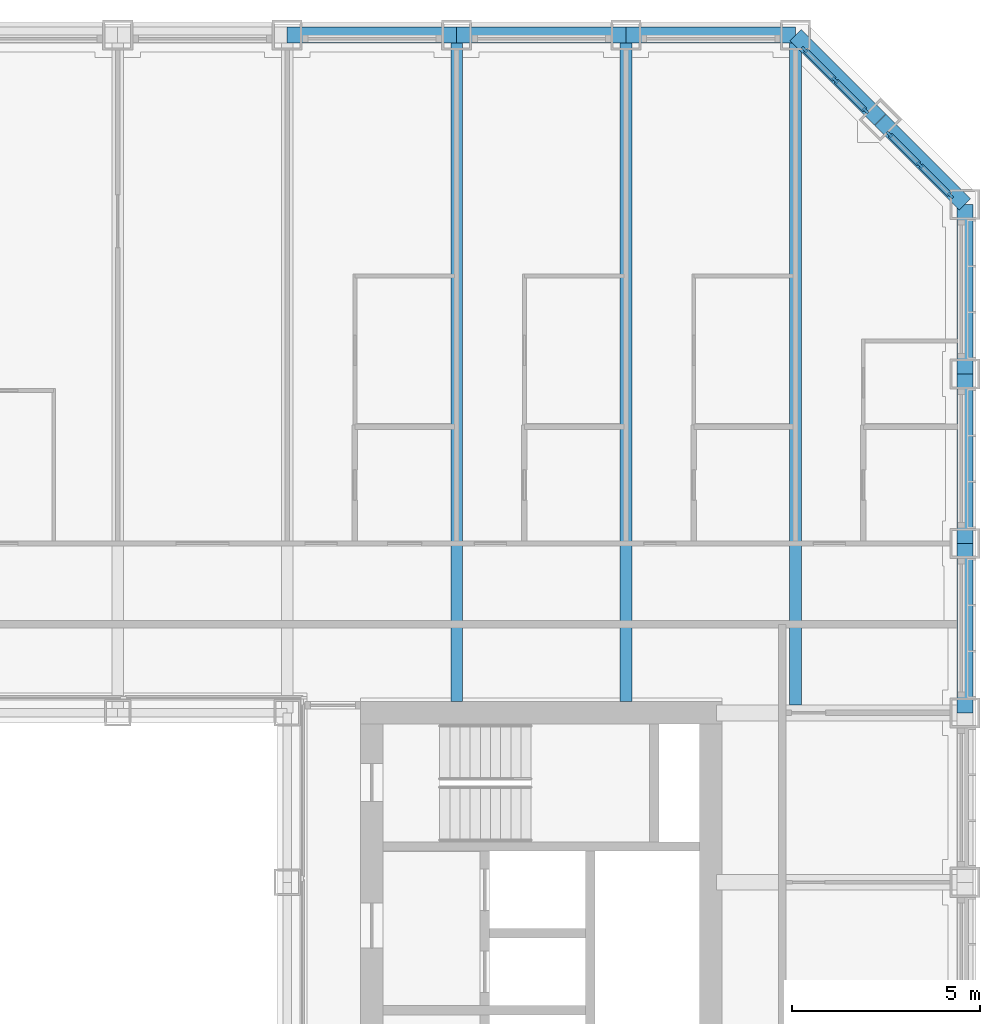
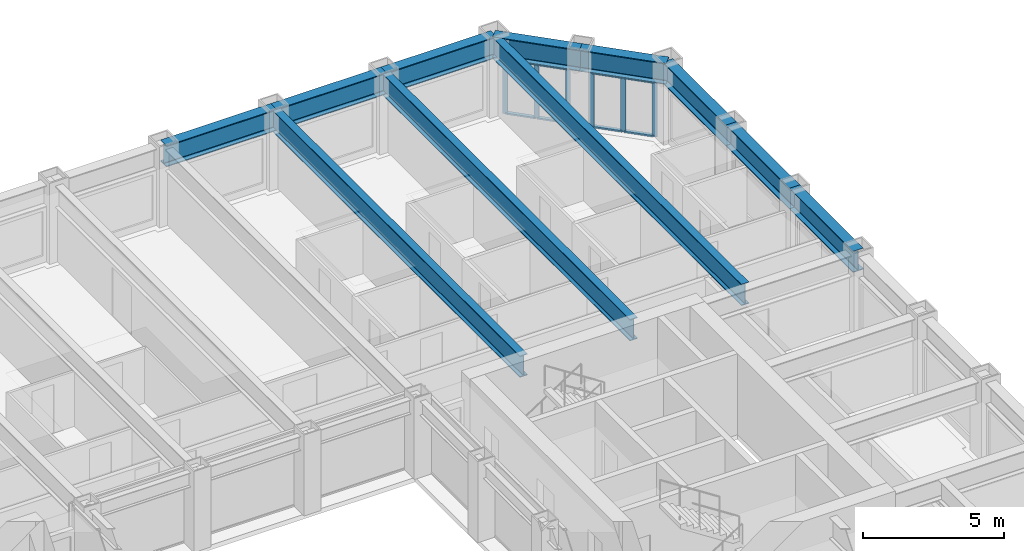
# One storey, part 7 of 21: 14 members, 11 beams, 2 elements without a shape of their own.
"""IFC4 building model written with IfcOpenShell, lengths in metres."""

from ifc_helpers import new_model, si_unit, direction, frame, origin, origin_2d, place, context, subcontext, project, spatial, rectangle, i_section, extrude, material, material_profile, profile_set, type_object, element, aggregate, save


model = new_model("IFC4")

# Units and contexts
model_context = context("Model", 3, precision=1e-05, world=origin(), true_north=direction((0.0, 1.0)))
body_context = subcontext(model_context, "Body", "Model", "MODEL_VIEW")
ifc_project = project(units=[si_unit("LENGTHUNIT", "METRE"), si_unit("AREAUNIT", "SQUARE_METRE"), si_unit("VOLUMEUNIT", "CUBIC_METRE"), si_unit("PLANEANGLEUNIT", "RADIAN"), si_unit("MASSUNIT", "GRAM", prefix="KILO")], contexts=[model_context])

# Site, building, storey
site_placement = place(None, origin())
site = spatial("IfcSite", under=ifc_project, at=site_placement, CompositionType="ELEMENT")
building_placement = place(site_placement, origin())
building = spatial("IfcBuilding", under=site, at=building_placement, Name="Msasa Ring Tower", CompositionType="ELEMENT")
storey_placement = place(building_placement, frame((0.0, 0.0, 79.0)))
storey = spatial("IfcBuildingStorey", under=building, at=storey_placement, Name="L20", CompositionType="ELEMENT", Elevation=79.0)

# Curtain wall, members
ifc_material_1 = material(Name="Aluminium curtain wall with clear glass", Category="aluminium")
curtain_wall_type = type_object("IfcCurtainWallType", Name="CW-C CHAMFER CORNER CURTAIN WALL", PredefinedType="NOTDEFINED", material=ifc_material_1)
curtain_wall_1_placement = place(storey_placement, origin())
curtain_wall_1 = element("IfcCurtainWall", 1, at=curtain_wall_1_placement, inside=storey, type_object=curtain_wall_type, Name="Chamfer corner curtain wall NE L20", PredefinedType="NOTDEFINED")
ifc_material_2 = material(Name="Aluminium mullion", Category="aluminium")
ifc_material_profile_1 = material_profile(ifc_material_2, rectangle(XDim=0.06494140625, YDim=0.179931640625, at=origin_2d()), Name="AL 65x180")
ifc_profile_set_1 = profile_set([ifc_material_profile_1], Name="Aluminium mullion")
member_type_1 = type_object("IfcMemberType", Name="CW-C MULLION 65x180", PredefinedType="MULLION", material=ifc_profile_set_1)
member_1_placement = place(storey_placement, frame((22.119873046875, 22.73876953125, 0.0), z_axis=(0.0, 0.0, 1.0), x_axis=(-0.707106781187, -0.707106781187, 0.0)))
member_1 = element("IfcMember", 2, at=member_1_placement, type_object=member_type_1, Name="CW-C mullion 1", PredefinedType="MULLION", context=body_context, shape_type="SweptSolid", body=[
    extrude(rectangle(XDim=0.06494140625, YDim=0.179931640625, at=origin_2d()), origin(), (0.0, 0.0, 1.0), 2.37890625),
])
member_2_placement = place(storey_placement, frame((21.30419921875, 23.55419921875, 0.0), z_axis=(0.0, 0.0, 1.0), x_axis=(-0.707106781187, -0.707106781187, 0.0)))
member_2 = element("IfcMember", 3, at=member_2_placement, type_object=member_type_1, Name="CW-C mullion 2", PredefinedType="MULLION", context=body_context, shape_type="SweptSolid", body=[
    extrude(rectangle(XDim=0.06494140625, YDim=0.179931640625, at=origin_2d()), origin(), (0.0, 0.0, 1.0), 2.37890625),
])
member_3_placement = place(storey_placement, frame((20.48876953125, 24.369873046875, 0.0), z_axis=(0.0, 0.0, 1.0), x_axis=(-0.707106781187, -0.707106781187, 0.0)))
member_3 = element("IfcMember", 4, at=member_3_placement, type_object=member_type_1, Name="CW-C mullion 3", PredefinedType="MULLION", context=body_context, shape_type="SweptSolid", body=[
    extrude(rectangle(XDim=0.06494140625, YDim=0.179931640625, at=origin_2d()), origin(), (0.0, 0.0, 1.0), 2.37890625),
])

curtain_wall_2_placement = place(storey_placement, origin())
curtain_wall_2 = element("IfcCurtainWall", 5, at=curtain_wall_2_placement, inside=storey, type_object=curtain_wall_type, Name="Chamfer corner curtain wall NE L20", PredefinedType="NOTDEFINED")
member_4_placement = place(storey_placement, frame((24.369873046875, 20.48876953125, 0.0), z_axis=(0.0, 0.0, 1.0), x_axis=(-0.707106781187, -0.707106781187, 0.0)))
member_4 = element("IfcMember", 6, at=member_4_placement, type_object=member_type_1, Name="CW-C mullion 1", PredefinedType="MULLION", context=body_context, shape_type="SweptSolid", body=[
    extrude(rectangle(XDim=0.06494140625, YDim=0.179931640625, at=origin_2d()), origin(), (0.0, 0.0, 1.0), 2.37890625),
])
member_5_placement = place(storey_placement, frame((23.55419921875, 21.30419921875, 0.0), z_axis=(0.0, 0.0, 1.0), x_axis=(-0.707106781187, -0.707106781187, 0.0)))
member_5 = element("IfcMember", 7, at=member_5_placement, type_object=member_type_1, Name="CW-C mullion 2", PredefinedType="MULLION", context=body_context, shape_type="SweptSolid", body=[
    extrude(rectangle(XDim=0.06494140625, YDim=0.179931640625, at=origin_2d()), origin(), (0.0, 0.0, 1.0), 2.37890625),
])
member_6_placement = place(storey_placement, frame((22.73876953125, 22.119873046875, 0.0), z_axis=(0.0, 0.0, 1.0), x_axis=(-0.707106781187, -0.707106781187, 0.0)))
member_6 = element("IfcMember", 8, at=member_6_placement, type_object=member_type_1, Name="CW-C mullion 3", PredefinedType="MULLION", context=body_context, shape_type="SweptSolid", body=[
    extrude(rectangle(XDim=0.06494140625, YDim=0.179931640625, at=origin_2d()), origin(), (0.0, 0.0, 1.0), 2.37890625),
])

# Member
ifc_material_3 = material(Name="Aluminium transom", Category="aluminium")
ifc_material_profile_2 = material_profile(ifc_material_3, rectangle(XDim=0.139892578125, YDim=0.06494140625, at=origin_2d()), Name="AL 65x140")
ifc_profile_set_2 = profile_set([ifc_material_profile_2], Name="Aluminium transom")
member_type_2 = type_object("IfcMemberType", Name="CW-C TRANSOM 65x140", PredefinedType="USERDEFINED", material=ifc_profile_set_2)
member_7_placement = place(storey_placement, frame((22.096923828125, 22.76171875, 0.032470703125), z_axis=(-0.707106781187, 0.707106781187, 0.0), x_axis=(-0.707106781187, -0.707106781187, 0.0)))
member_7 = element("IfcMember", 9, at=member_7_placement, type_object=member_type_2, Name="CW-C transom 1.1", ObjectType="TRANSOM", PredefinedType="USERDEFINED", context=body_context, shape_type="SweptSolid", body=[
    extrude(rectangle(XDim=0.139892578125, YDim=0.06494140625, at=origin_2d()), origin(), (0.0, 0.0, 1.0), 1.08837890625),
])

member_8_placement = place(storey_placement, frame((22.096923828125, 22.76171875, 2.346435546875), z_axis=(-0.707106781187, 0.707106781187, 0.0), x_axis=(-0.707106781187, -0.707106781187, 0.0)))
member_8 = element("IfcMember", 10, at=member_8_placement, type_object=member_type_2, Name="CW-C transom 1.2", ObjectType="TRANSOM", PredefinedType="USERDEFINED", context=body_context, shape_type="SweptSolid", body=[
    extrude(rectangle(XDim=0.139892578125, YDim=0.06494140625, at=origin_2d()), origin(), (0.0, 0.0, 1.0), 1.08837890625),
])

member_9_placement = place(storey_placement, frame((21.28125, 23.577392578125, 0.032470703125), z_axis=(-0.707106781187, 0.707106781187, 0.0), x_axis=(-0.707106781187, -0.707106781187, 0.0)))
member_9 = element("IfcMember", 11, at=member_9_placement, type_object=member_type_2, Name="CW-C transom 2.1", ObjectType="TRANSOM", PredefinedType="USERDEFINED", context=body_context, shape_type="SweptSolid", body=[
    extrude(rectangle(XDim=0.139892578125, YDim=0.06494140625, at=origin_2d()), origin(), (0.0, 0.0, 1.0), 1.08837890625),
])

member_10_placement = place(storey_placement, frame((21.28125, 23.577392578125, 2.346435546875), z_axis=(-0.707106781187, 0.707106781187, 0.0), x_axis=(-0.707106781187, -0.707106781187, 0.0)))
member_10 = element("IfcMember", 12, at=member_10_placement, type_object=member_type_2, Name="CW-C transom 2.2", ObjectType="TRANSOM", PredefinedType="USERDEFINED", context=body_context, shape_type="SweptSolid", body=[
    extrude(rectangle(XDim=0.139892578125, YDim=0.06494140625, at=origin_2d()), origin(), (0.0, 0.0, 1.0), 1.08837890625),
])

aggregate(curtain_wall_1, [member_1, member_2, member_3, member_7, member_8, member_9, member_10])

member_11_placement = place(storey_placement, frame((24.346923828125, 20.51171875, 0.032470703125), z_axis=(-0.707106781187, 0.707106781187, 0.0), x_axis=(-0.707106781187, -0.707106781187, 0.0)))
member_11 = element("IfcMember", 13, at=member_11_placement, type_object=member_type_2, Name="CW-C transom 1.1", ObjectType="TRANSOM", PredefinedType="USERDEFINED", context=body_context, shape_type="SweptSolid", body=[
    extrude(rectangle(XDim=0.139892578125, YDim=0.06494140625, at=origin_2d()), origin(), (0.0, 0.0, 1.0), 1.08837890625),
])

member_12_placement = place(storey_placement, frame((24.346923828125, 20.51171875, 2.346435546875), z_axis=(-0.707106781187, 0.707106781187, 0.0), x_axis=(-0.707106781187, -0.707106781187, 0.0)))
member_12 = element("IfcMember", 14, at=member_12_placement, type_object=member_type_2, Name="CW-C transom 1.2", ObjectType="TRANSOM", PredefinedType="USERDEFINED", context=body_context, shape_type="SweptSolid", body=[
    extrude(rectangle(XDim=0.139892578125, YDim=0.06494140625, at=origin_2d()), origin(), (0.0, 0.0, 1.0), 1.08837890625),
])

member_13_placement = place(storey_placement, frame((23.53125, 21.327392578125, 0.032470703125), z_axis=(-0.707106781187, 0.707106781187, 0.0), x_axis=(-0.707106781187, -0.707106781187, 0.0)))
member_13 = element("IfcMember", 15, at=member_13_placement, type_object=member_type_2, Name="CW-C transom 2.1", ObjectType="TRANSOM", PredefinedType="USERDEFINED", context=body_context, shape_type="SweptSolid", body=[
    extrude(rectangle(XDim=0.139892578125, YDim=0.06494140625, at=origin_2d()), origin(), (0.0, 0.0, 1.0), 1.08837890625),
])

member_14_placement = place(storey_placement, frame((23.53125, 21.327392578125, 2.346435546875), z_axis=(-0.707106781187, 0.707106781187, 0.0), x_axis=(-0.707106781187, -0.707106781187, 0.0)))
member_14 = element("IfcMember", 16, at=member_14_placement, type_object=member_type_2, Name="CW-C transom 2.2", ObjectType="TRANSOM", PredefinedType="USERDEFINED", context=body_context, shape_type="SweptSolid", body=[
    extrude(rectangle(XDim=0.139892578125, YDim=0.06494140625, at=origin_2d()), origin(), (0.0, 0.0, 1.0), 1.08837890625),
])

aggregate(curtain_wall_2, [member_4, member_5, member_6, member_11, member_12, member_13, member_14])

# Beams
ifc_material_4 = material(Name="Steel S355", Category="steel")
ifc_material_profile_3 = material_profile(ifc_material_4, i_section(OverallWidth=0.3076171875, OverallDepth=0.926513671875, WebThickness=0.01953125, FlangeThickness=0.031982421875, FilletRadius=0.01904296875, at=origin_2d()), Name="UB 914x305x289")
ifc_profile_set_3 = profile_set([ifc_material_profile_3], Name="Steel S355")
beam_type_1 = type_object("IfcBeamType", Name="FB3 UB 914x305x289", PredefinedType="BEAM", material=ifc_profile_set_3)
for number, where, z_axis, x_axis, name in (
    (17, (11.25, 24.75, 2.836669921875), (0.0, -1.0, 0.0), (1.0, 0.0, 0.0), "Floor beam N+11.25 under L21"),
    (18, (15.75, 24.75, 2.836669921875), (0.0, -1.0, 0.0), (1.0, 0.0, 0.0), "Floor beam N+15.75 under L21"),
):
    element("IfcBeam", number, at=place(storey_placement, frame(where, z_axis=z_axis, x_axis=x_axis)), inside=storey, type_object=beam_type_1, Name=name, PredefinedType="BEAM", context=body_context, shape_type="SweptSolid", body=[
        extrude(i_section(OverallWidth=0.3076171875, OverallDepth=0.926513671875, WebThickness=0.01953125, FlangeThickness=0.031982421875, FilletRadius=0.01904296875, at=origin_2d()), origin(), (0.0, 0.0, 1.0), 17.699951171875),
    ])
beam_placement = place(storey_placement, frame((20.25, 24.75, 2.836669921875), z_axis=(0.0, -1.0, 0.0), x_axis=(1.0, 0.0, 0.0)))
element("IfcBeam", 19, at=beam_placement, inside=storey, type_object=beam_type_1, Name="Floor beam N+20.25 under L21", PredefinedType="BEAM", context=body_context, shape_type="SweptSolid", body=[
    extrude(i_section(OverallWidth=0.3076171875, OverallDepth=0.926513671875, WebThickness=0.01953125, FlangeThickness=0.031982421875, FilletRadius=0.01904296875, at=origin_2d()), origin(), (0.0, 0.0, 1.0), 17.789794921875),
])
ifc_material_5 = material(Name="Steel S355", Category="steel")
ifc_material_profile_4 = material_profile(ifc_material_5, i_section(OverallWidth=0.42041015625, OverallDepth=0.9208984375, WebThickness=0.021484375, FlangeThickness=0.03662109375, FilletRadius=0.024169921875, at=origin_2d()), Name="UB 914x419x388")
ifc_profile_set_4 = profile_set([ifc_material_profile_4], Name="Steel S355")
beam_type_2 = type_object("IfcBeamType", Name="SB1 UB 914x419x388", PredefinedType="SPANDREL", material=ifc_profile_set_4)
for number, where, z_axis, x_axis, name in (
    (20, (24.75, 6.75, 2.839599609375), (0.0, 1.0, 0.0), (-1.0, 0.0, 0.0), "Spandrel E+6.75 to E+11.25 under L21"),
    (21, (24.75, 11.25, 2.839599609375), (0.0, 1.0, 0.0), (-1.0, 0.0, 0.0), "Spandrel E+11.25 to E+15.75 under L21"),
    (22, (24.75, 15.75, 2.839599609375), (0.0, 1.0, 0.0), (-1.0, 0.0, 0.0), "Spandrel E+15.75 to E+20.25 under L21"),
):
    element("IfcBeam", number, at=place(storey_placement, frame(where, z_axis=z_axis, x_axis=x_axis)), inside=storey, type_object=beam_type_2, Name=name, PredefinedType="SPANDREL", context=body_context, shape_type="SweptSolid", body=[
        extrude(i_section(OverallWidth=0.42041015625, OverallDepth=0.9208984375, WebThickness=0.021484375, FlangeThickness=0.03662109375, FilletRadius=0.024169921875, at=origin_2d()), origin(), (0.0, 0.0, 1.0), 4.5),
    ])
for number, where, z_axis, x_axis, name in (
    (23, (24.75, 20.25, 2.839599609375), (-0.707106781187, 0.707106781187, 0.0), (-0.707106781187, -0.707106781187, 0.0), "Spandrel E+20.25 to NE under L21"),
    (24, (22.5, 22.5, 2.839599609375), (-0.707106781187, 0.707106781187, 0.0), (-0.707106781187, -0.707106781187, 0.0), "Spandrel NE to N+20.25 under L21"),
):
    element("IfcBeam", number, at=place(storey_placement, frame(where, z_axis=z_axis, x_axis=x_axis)), inside=storey, type_object=beam_type_2, Name=name, PredefinedType="SPANDREL", context=body_context, shape_type="SweptSolid", body=[
        extrude(i_section(OverallWidth=0.42041015625, OverallDepth=0.9208984375, WebThickness=0.021484375, FlangeThickness=0.03662109375, FilletRadius=0.024169921875, at=origin_2d()), origin(), (0.0, 0.0, 1.0), 3.181884765625),
    ])
for number, where, z_axis, x_axis, name in (
    (25, (20.25, 24.75, 2.839599609375), (-1.0, 0.0, 0.0), (0.0, -1.0, 0.0), "Spandrel N+20.25 to N+15.75 under L21"),
    (26, (15.75, 24.75, 2.839599609375), (-1.0, 0.0, 0.0), (0.0, -1.0, 0.0), "Spandrel N+15.75 to N+11.25 under L21"),
    (27, (11.25, 24.75, 2.839599609375), (-1.0, 0.0, 0.0), (0.0, -1.0, 0.0), "Spandrel N+11.25 to N+6.75 under L21"),
):
    element("IfcBeam", number, at=place(storey_placement, frame(where, z_axis=z_axis, x_axis=x_axis)), inside=storey, type_object=beam_type_2, Name=name, PredefinedType="SPANDREL", context=body_context, shape_type="SweptSolid", body=[
        extrude(i_section(OverallWidth=0.42041015625, OverallDepth=0.9208984375, WebThickness=0.021484375, FlangeThickness=0.03662109375, FilletRadius=0.024169921875, at=origin_2d()), origin(), (0.0, 0.0, 1.0), 4.5),
    ])

save(model, "model.ifc")
